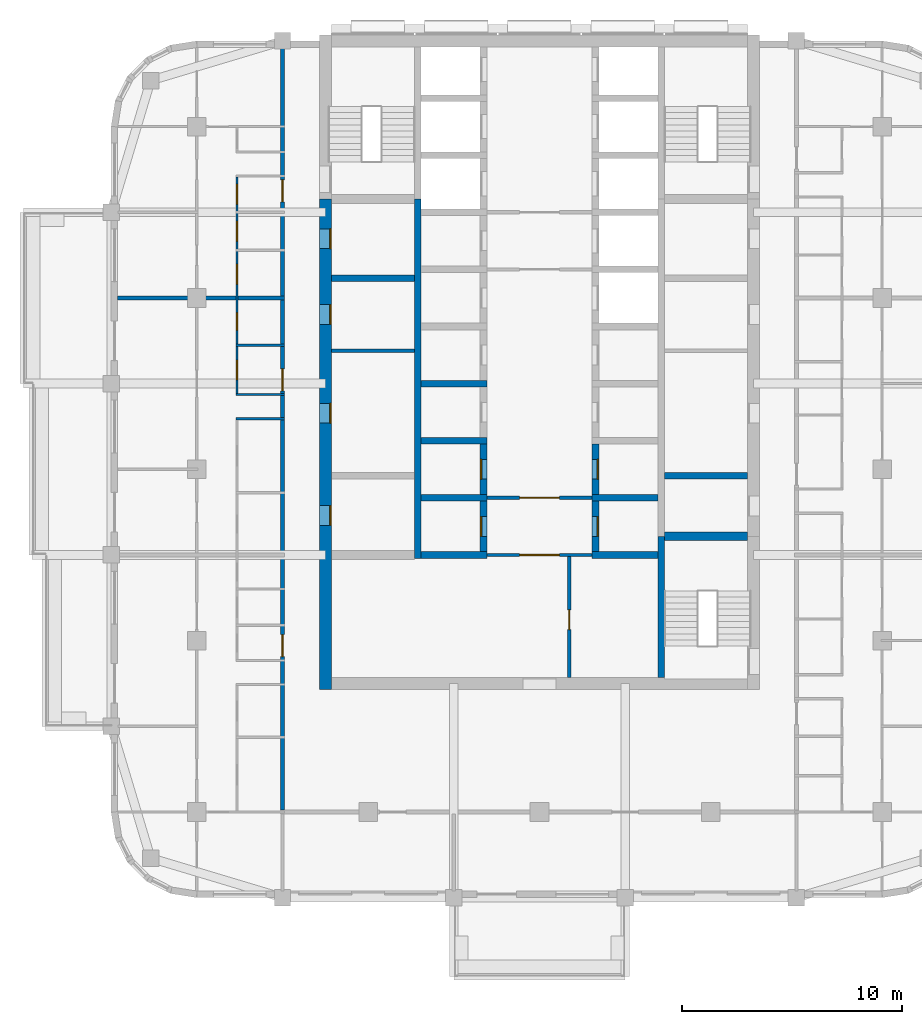
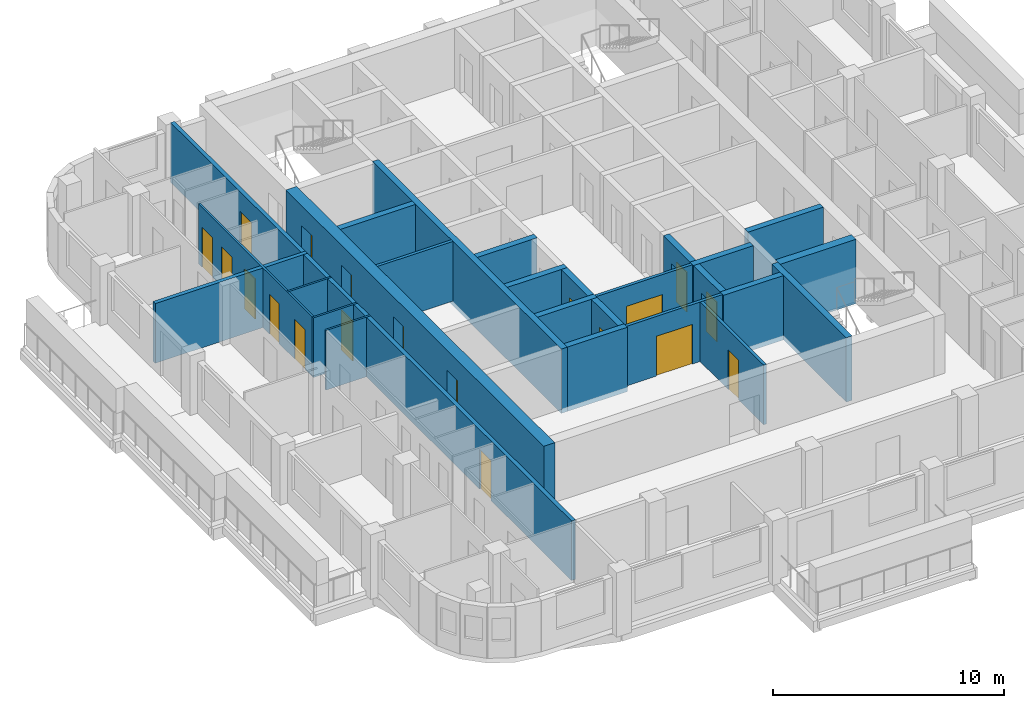
# One storey, part 4 of 13: 26 walls, 19 doors, 19 openings.
"""IFC4 building model written with IfcOpenShell, lengths in metres."""

from ifc_helpers import new_model, si_unit, direction, frame, frame_2d, origin, place, context, subcontext, project, spatial, rectangle, extrude, material, layer, layer_set, type_object, element, fill, save


model = new_model("IFC4")

# Units and contexts
model_context = context("Model", 3, precision=1e-05, world=origin(), true_north=direction((0.0, 1.0)))
body_context = subcontext(model_context, "Body", "Model", "MODEL_VIEW")
ifc_project = project(units=[si_unit("LENGTHUNIT", "METRE"), si_unit("AREAUNIT", "SQUARE_METRE"), si_unit("VOLUMEUNIT", "CUBIC_METRE"), si_unit("PLANEANGLEUNIT", "RADIAN"), si_unit("MASSUNIT", "GRAM", prefix="KILO")], contexts=[model_context])

# Site, building, storey
site_placement = place(None, origin())
site = spatial("IfcSite", under=ifc_project, at=site_placement, CompositionType="ELEMENT")
building_placement = place(site_placement, origin())
building = spatial("IfcBuilding", under=site, at=building_placement, Name="Ludao Terraces", CompositionType="ELEMENT")
storey_placement = place(building_placement, frame((0.0, 0.0, 162.199951171875)))
storey = spatial("IfcBuildingStorey", under=building, at=storey_placement, Name="L44", CompositionType="ELEMENT", Elevation=162.199951171875)

# Wall, openings, doors
ifc_material_1 = material(Name="Concrete C60", Category="concrete")
ifc_layer_1 = layer(ifc_material_1, 0.550048828125)
ifc_layer_set_1 = layer_set([ifc_layer_1], Name="Core wall 550 C60")
wall_type_1 = type_object("IfcWallType", Name="Core wall 550 C60", PredefinedType="SOLIDWALL", material=ifc_layer_set_1)
wall_1_placement = place(storey_placement, frame((75.25, 54.97509765625, -0.25), z_axis=(0.0, 0.0, 1.0), x_axis=(0.0, 1.0, 0.0)))
wall_1 = element("IfcWall", 1, at=wall_1_placement, inside=storey, type_object=wall_type_1, Name="Core wall L44 outer-W", PredefinedType="SOLIDWALL", context=body_context, shape_type="SweptSolid", body=[
    extrude(rectangle(XDim=22.324951171875, YDim=0.550048828125, at=frame_2d((11.16259765625, 0.0))), origin(), (0.0, 0.0, 1.0), 3.400146484375),
])
opening_1_placement = place(wall_1_placement, frame((7.47509765625, 0.0, 0.25)))
opening_1 = element("IfcOpeningElement", 2, at=opening_1_placement, cuts=wall_1, Name="Opening R15-032", PredefinedType="OPENING", context=body_context, shape_type="SweptSolid", body=[
    extrude(rectangle(XDim=0.89990234375, YDim=2.10009765625, at=frame_2d((0.449951171875, 1.050048828125))), frame((0.0, 0.28515625, 0.0), z_axis=(0.0, -1.0, 0.0), x_axis=(1.0, 0.0, 0.0)), (0.0, 0.0, 1.0), 0.570068359375),
])
opening_2_placement = place(wall_1_placement, frame((12.125, 0.0, 0.25)))
opening_2 = element("IfcOpeningElement", 3, at=opening_2_placement, cuts=wall_1, Name="Opening R15-042", PredefinedType="OPENING", context=body_context, shape_type="SweptSolid", body=[
    extrude(rectangle(XDim=0.89990234375, YDim=2.10009765625, at=frame_2d((0.449951171875, 1.050048828125))), frame((0.0, 0.28515625, 0.0), z_axis=(0.0, -1.0, 0.0), x_axis=(1.0, 0.0, 0.0)), (0.0, 0.0, 1.0), 0.570068359375),
])
opening_3_placement = place(wall_1_placement, frame((16.625, 0.0, 0.25)))
opening_3 = element("IfcOpeningElement", 4, at=opening_3_placement, cuts=wall_1, Name="Opening R15-055", PredefinedType="OPENING", context=body_context, shape_type="SweptSolid", body=[
    extrude(rectangle(XDim=0.89990234375, YDim=2.10009765625, at=frame_2d((0.449951171875, 1.050048828125))), frame((0.0, 0.28515625, 0.0), z_axis=(0.0, -1.0, 0.0), x_axis=(1.0, 0.0, 0.0)), (0.0, 0.0, 1.0), 0.570068359375),
])
opening_4_placement = place(wall_1_placement, frame((20.074951171875, 0.0, 0.25)))
opening_4 = element("IfcOpeningElement", 5, at=opening_4_placement, cuts=wall_1, Name="Opening R15-065", PredefinedType="OPENING", context=body_context, shape_type="SweptSolid", body=[
    extrude(rectangle(XDim=0.89990234375, YDim=2.10009765625, at=frame_2d((0.449951171875, 1.050048828125))), frame((0.0, 0.28515625, 0.0), z_axis=(0.0, -1.0, 0.0), x_axis=(1.0, 0.0, 0.0)), (0.0, 0.0, 1.0), 0.570068359375),
])
ifc_material_2 = material(Name="Steel Q235", Category="steel")
door_type_1 = type_object("IfcDoorType", Name="INT Riser door 900", OperationType="SINGLE_SWING_LEFT", PredefinedType="DOOR", material=ifc_material_2)
door_1_placement = place(opening_1_placement, origin())
door_1 = element("IfcDoor", 6, at=door_1_placement, inside=storey, type_object=door_type_1, Name="DOOR 032", OperationType="SINGLE_SWING_RIGHT", OverallHeight=2.10009765625, OverallWidth=0.89990234375, PredefinedType="DOOR", context=body_context, shape_type="SweptSolid", body=[
    extrude(rectangle(XDim=0.89990234375, YDim=2.10009765625, at=frame_2d((0.449951171875, 1.050048828125))), frame((0.0, -0.2099609375, 0.0), z_axis=(0.0, -1.0, 0.0), x_axis=(1.0, 0.0, 0.0)), (0.0, 0.0, 1.0), 0.050048828125),
])
fill(opening_1, door_1)
door_2_placement = place(opening_4_placement, origin())
door_2 = element("IfcDoor", 7, at=door_2_placement, inside=storey, type_object=door_type_1, Name="DOOR 065", OperationType="SINGLE_SWING_LEFT", OverallHeight=2.10009765625, OverallWidth=0.89990234375, PredefinedType="DOOR", context=body_context, shape_type="SweptSolid", body=[
    extrude(rectangle(XDim=0.89990234375, YDim=2.10009765625, at=frame_2d((0.449951171875, 1.050048828125))), frame((0.0, -0.2099609375, 0.0), z_axis=(0.0, -1.0, 0.0), x_axis=(1.0, 0.0, 0.0)), (0.0, 0.0, 1.0), 0.050048828125),
])
fill(opening_4, door_2)
ifc_material_3 = material(Name="Timber door leaf", Category="wood")
door_type_2 = type_object("IfcDoorType", Name="INT Room door 900", OperationType="SINGLE_SWING_LEFT", PredefinedType="DOOR", material=ifc_material_3)
door_3_placement = place(opening_2_placement, origin())
door_3 = element("IfcDoor", 8, at=door_3_placement, inside=storey, type_object=door_type_2, Name="DOOR 042", OperationType="SINGLE_SWING_RIGHT", OverallHeight=2.10009765625, OverallWidth=0.89990234375, PredefinedType="DOOR", context=body_context, shape_type="SweptSolid", body=[
    extrude(rectangle(XDim=0.89990234375, YDim=2.10009765625, at=frame_2d((0.449951171875, 1.050048828125))), frame((0.0, -0.2099609375, 0.0), z_axis=(0.0, -1.0, 0.0), x_axis=(1.0, 0.0, 0.0)), (0.0, 0.0, 1.0), 0.050048828125),
])
fill(opening_2, door_3)
door_4_placement = place(opening_3_placement, origin())
door_4 = element("IfcDoor", 9, at=door_4_placement, inside=storey, type_object=door_type_2, Name="DOOR 055", OperationType="SINGLE_SWING_LEFT", OverallHeight=2.10009765625, OverallWidth=0.89990234375, PredefinedType="DOOR", context=body_context, shape_type="SweptSolid", body=[
    extrude(rectangle(XDim=0.89990234375, YDim=2.10009765625, at=frame_2d((0.449951171875, 1.050048828125))), frame((0.0, -0.2099609375, 0.0), z_axis=(0.0, -1.0, 0.0), x_axis=(1.0, 0.0, 0.0)), (0.0, 0.0, 1.0), 0.050048828125),
])
fill(opening_3, door_4)

# Wall, opening, door
ifc_material_4 = material(Name="Fire-rated gypsum plasterboard", Category="gypsum")
ifc_layer_2 = layer(ifc_material_4, 0.012451171875, Category="gypsum")
ifc_material_5 = material(Name="Mineral wool")
ifc_layer_3 = layer(ifc_material_5, 0.10009765625, Name="insulation")
ifc_layer_4 = layer(ifc_material_2, 0.02490234375, Name="stud")
ifc_layer_5 = layer(ifc_material_4, 0.012451171875, Category="gypsum")
ifc_layer_set_2 = layer_set([ifc_layer_2, ifc_layer_3, ifc_layer_4, ifc_layer_5], Name="INT Core partition 150")
wall_type_2 = type_object("IfcWallType", Name="INT Core partition 150", PredefinedType="PARTITIONING", material=ifc_layer_set_2)
wall_2_placement = place(storey_placement, frame((82.60009765625, 61.10009765625, 0.0), z_axis=(0.0, 0.0, 1.0), x_axis=(1.0, 0.0, 0.0)))
wall_2 = element("IfcWall", 10, at=wall_2_placement, inside=storey, type_object=wall_type_2, Name="PW-L44-PW017", PredefinedType="PARTITIONING", context=body_context, shape_type="SweptSolid", body=[
    extrude(rectangle(XDim=4.800048828125, YDim=0.14990234375, at=frame_2d((2.39990234375, 0.0))), origin(), (0.0, 0.0, 1.0), 3.150146484375),
])
opening_5_placement = place(wall_2_placement, frame((1.5, 0.0, 0.0)))
opening_5 = element("IfcOpeningElement", 11, at=opening_5_placement, cuts=wall_2, Name="Opening R15-027", PredefinedType="OPENING", context=body_context, shape_type="SweptSolid", body=[
    extrude(rectangle(XDim=1.800048828125, YDim=2.10009765625, at=frame_2d((0.89990234375, 1.050048828125))), frame((0.0, 0.0849609375, 0.0), z_axis=(0.0, -1.0, 0.0), x_axis=(1.0, 0.0, 0.0)), (0.0, 0.0, 1.0), 0.169921875),
])
door_type_3 = type_object("IfcDoorType", Name="INT Fire lobby door 1800", OperationType="DOUBLE_DOOR_SINGLE_SWING", PredefinedType="DOOR", material=ifc_material_2)
door_5_placement = place(opening_5_placement, origin())
door_5 = element("IfcDoor", 12, at=door_5_placement, inside=storey, type_object=door_type_3, Name="DOOR 027", OperationType="DOUBLE_DOOR_SINGLE_SWING", OverallHeight=2.10009765625, OverallWidth=1.800048828125, PredefinedType="DOOR", context=body_context, shape_type="SweptSolid", body=[
    extrude(rectangle(XDim=1.800048828125, YDim=2.10009765625, at=frame_2d((0.89990234375, 1.050048828125))), frame((0.0, 0.02490234375, 0.0), z_axis=(0.0, -1.0, 0.0), x_axis=(1.0, 0.0, 0.0)), (0.0, 0.0, 1.0), 0.050048828125),
])
fill(opening_5, door_5)

wall_3_placement = place(storey_placement, frame((82.60009765625, 63.699951171875, 0.0), z_axis=(0.0, 0.0, 1.0), x_axis=(1.0, 0.0, 0.0)))
wall_3 = element("IfcWall", 13, at=wall_3_placement, inside=storey, type_object=wall_type_2, Name="PW-L44-PW020", PredefinedType="PARTITIONING", context=body_context, shape_type="SweptSolid", body=[
    extrude(rectangle(XDim=4.800048828125, YDim=0.14990234375, at=frame_2d((2.39990234375, 0.0))), origin(), (0.0, 0.0, 1.0), 3.150146484375),
])
opening_6_placement = place(wall_3_placement, frame((1.5, 0.0, 0.0)))
opening_6 = element("IfcOpeningElement", 14, at=opening_6_placement, cuts=wall_3, Name="Opening R15-035", PredefinedType="OPENING", context=body_context, shape_type="SweptSolid", body=[
    extrude(rectangle(XDim=1.800048828125, YDim=2.10009765625, at=frame_2d((0.89990234375, 1.050048828125))), frame((0.0, 0.0849609375, 0.0), z_axis=(0.0, -1.0, 0.0), x_axis=(1.0, 0.0, 0.0)), (0.0, 0.0, 1.0), 0.169921875),
])
door_6_placement = place(opening_6_placement, origin())
door_6 = element("IfcDoor", 15, at=door_6_placement, inside=storey, type_object=door_type_3, Name="DOOR 035", OperationType="DOUBLE_DOOR_SINGLE_SWING", OverallHeight=2.10009765625, OverallWidth=1.800048828125, PredefinedType="DOOR", context=body_context, shape_type="SweptSolid", body=[
    extrude(rectangle(XDim=1.800048828125, YDim=2.10009765625, at=frame_2d((0.89990234375, 1.050048828125))), frame((0.0, 0.02490234375, 0.0), z_axis=(0.0, -1.0, 0.0), x_axis=(1.0, 0.0, 0.0)), (0.0, 0.0, 1.0), 0.050048828125),
])
fill(opening_6, door_6)

# Wall
wall_4_placement = place(storey_placement, frame((75.525146484375, 70.39990234375, 0.0), z_axis=(0.0, 0.0, 1.0), x_axis=(1.0, 0.0, 0.0)))
element("IfcWall", 16, at=wall_4_placement, inside=storey, type_object=wall_type_2, Name="PW-L44-PW029", PredefinedType="PARTITIONING", context=body_context, shape_type="SweptSolid", body=[
    extrude(rectangle(XDim=3.77490234375, YDim=0.14990234375, at=frame_2d((1.887451171875, 0.0))), origin(), (0.0, 0.0, 1.0), 3.150146484375),
])

# Wall, opening, door
wall_5_placement = place(storey_placement, frame((86.35009765625, 55.525146484375, 0.0), z_axis=(0.0, 0.0, 1.0), x_axis=(0.0, 1.0, 0.0)))
wall_5 = element("IfcWall", 17, at=wall_5_placement, inside=storey, type_object=wall_type_2, Name="PW-L44-PW054", PredefinedType="PARTITIONING", context=body_context, shape_type="SweptSolid", body=[
    extrude(rectangle(XDim=5.5, YDim=0.14990234375, at=frame_2d((2.75, 0.0))), origin(), (0.0, 0.0, 1.0), 3.150146484375),
])
opening_7_placement = place(wall_5_placement, frame((2.175048828125, 0.0, 0.0)))
opening_7 = element("IfcOpeningElement", 18, at=opening_7_placement, cuts=wall_5, Name="Opening R15-021", PredefinedType="OPENING", context=body_context, shape_type="SweptSolid", body=[
    extrude(rectangle(XDim=0.89990234375, YDim=2.10009765625, at=frame_2d((0.449951171875, 1.050048828125))), frame((0.0, 0.0849609375, 0.0), z_axis=(0.0, -1.0, 0.0), x_axis=(1.0, 0.0, 0.0)), (0.0, 0.0, 1.0), 0.169921875),
])
door_7_placement = place(opening_7_placement, origin())
door_7 = element("IfcDoor", 19, at=door_7_placement, inside=storey, type_object=door_type_2, Name="DOOR 021", OperationType="SINGLE_SWING_RIGHT", OverallHeight=2.10009765625, OverallWidth=0.89990234375, PredefinedType="DOOR", context=body_context, shape_type="SweptSolid", body=[
    extrude(rectangle(XDim=0.89990234375, YDim=2.10009765625, at=frame_2d((0.449951171875, 1.050048828125))), frame((0.0, 0.02490234375, 0.0), z_axis=(0.0, -1.0, 0.0), x_axis=(1.0, 0.0, 0.0)), (0.0, 0.0, 1.0), 0.050048828125),
])
fill(opening_7, door_7)

# Wall, openings, doors
ifc_material_6 = material(Name="Autoclaved aerated concrete block B06 A3.5", Category="concrete")
ifc_layer_6 = layer(ifc_material_6, 0.199951171875)
ifc_layer_set_3 = layer_set([ifc_layer_6], Name="INT Entrance wall 200")
wall_type_3 = type_object("IfcWallType", Name="INT Entrance wall 200", PredefinedType="PARTITIONING", material=ifc_layer_set_3)
wall_6_placement = place(storey_placement, frame((73.300048828125, 49.5, 0.0), z_axis=(0.0, 0.0, 1.0), x_axis=(0.0, 1.0, 0.0)))
wall_6 = element("IfcWall", 20, at=wall_6_placement, inside=storey, type_object=wall_type_3, Name="PW-L44-PW052", PredefinedType="PARTITIONING", context=body_context, shape_type="SweptSolid", body=[
    extrude(rectangle(XDim=34.7001953125, YDim=0.199951171875, at=frame_2d((17.35009765625, 0.0))), origin(), (0.0, 0.0, 1.0), 3.150146484375),
])
opening_8_placement = place(wall_6_placement, frame((6.97509765625, 0.0, 0.0)))
opening_8 = element("IfcOpeningElement", 21, at=opening_8_placement, cuts=wall_6, Name="Opening R15-019", PredefinedType="OPENING", context=body_context, shape_type="SweptSolid", body=[
    extrude(rectangle(XDim=1.0, YDim=2.10009765625, at=frame_2d((0.5, 1.050048828125))), frame((0.0, 0.10986328125, 0.0), z_axis=(0.0, -1.0, 0.0), x_axis=(1.0, 0.0, 0.0)), (0.0, 0.0, 1.0), 0.219970703125),
])
opening_9_placement = place(wall_6_placement, frame((19.0751953125, 0.0, 0.0)))
opening_9 = element("IfcOpeningElement", 22, at=opening_9_placement, cuts=wall_6, Name="Opening R15-048", PredefinedType="OPENING", context=body_context, shape_type="SweptSolid", body=[
    extrude(rectangle(XDim=1.0, YDim=2.10009765625, at=frame_2d((0.5, 1.050048828125))), frame((0.0, 0.10986328125, 0.0), z_axis=(0.0, -1.0, 0.0), x_axis=(1.0, 0.0, 0.0)), (0.0, 0.0, 1.0), 0.219970703125),
])
opening_10_placement = place(wall_6_placement, frame((27.675048828125, 0.0, 0.0)))
opening_10 = element("IfcOpeningElement", 23, at=opening_10_placement, cuts=wall_6, Name="Opening R15-072", PredefinedType="OPENING", context=body_context, shape_type="SweptSolid", body=[
    extrude(rectangle(XDim=1.0, YDim=2.10009765625, at=frame_2d((0.5, 1.050048828125))), frame((0.0, 0.10986328125, 0.0), z_axis=(0.0, -1.0, 0.0), x_axis=(1.0, 0.0, 0.0)), (0.0, 0.0, 1.0), 0.219970703125),
])
door_type_4 = type_object("IfcDoorType", Name="INT Flat entrance door 1000", OperationType="SINGLE_SWING_LEFT", PredefinedType="DOOR", material=ifc_material_2)
door_8_placement = place(opening_8_placement, origin())
door_8 = element("IfcDoor", 24, at=door_8_placement, inside=storey, type_object=door_type_4, Name="DOOR 019", OperationType="SINGLE_SWING_RIGHT", OverallHeight=2.10009765625, OverallWidth=1.0, PredefinedType="DOOR", context=body_context, shape_type="SweptSolid", body=[
    extrude(rectangle(XDim=1.0, YDim=2.10009765625, at=frame_2d((0.5, 1.050048828125))), frame((0.0, 0.02490234375, 0.0), z_axis=(0.0, -1.0, 0.0), x_axis=(1.0, 0.0, 0.0)), (0.0, 0.0, 1.0), 0.050048828125),
])
fill(opening_8, door_8)
door_9_placement = place(opening_9_placement, origin())
door_9 = element("IfcDoor", 25, at=door_9_placement, inside=storey, type_object=door_type_4, Name="DOOR 048", OperationType="SINGLE_SWING_RIGHT", OverallHeight=2.10009765625, OverallWidth=1.0, PredefinedType="DOOR", context=body_context, shape_type="SweptSolid", body=[
    extrude(rectangle(XDim=1.0, YDim=2.10009765625, at=frame_2d((0.5, 1.050048828125))), frame((0.0, 0.02490234375, 0.0), z_axis=(0.0, -1.0, 0.0), x_axis=(1.0, 0.0, 0.0)), (0.0, 0.0, 1.0), 0.050048828125),
])
fill(opening_9, door_9)
door_10_placement = place(opening_10_placement, origin())
door_10 = element("IfcDoor", 26, at=door_10_placement, inside=storey, type_object=door_type_4, Name="DOOR 072", OperationType="SINGLE_SWING_LEFT", OverallHeight=2.10009765625, OverallWidth=1.0, PredefinedType="DOOR", context=body_context, shape_type="SweptSolid", body=[
    extrude(rectangle(XDim=1.0, YDim=2.10009765625, at=frame_2d((0.5, 1.050048828125))), frame((0.0, 0.02490234375, 0.0), z_axis=(0.0, -1.0, 0.0), x_axis=(1.0, 0.0, 0.0)), (0.0, 0.0, 1.0), 0.050048828125),
])
fill(opening_10, door_10)

# Walls
ifc_material_7 = material(Name="Gypsum plasterboard", Category="gypsum")
ifc_layer_7 = layer(ifc_material_7, 0.012451171875, Category="gypsum")
ifc_layer_8 = layer(ifc_material_5, 0.06005859375, Name="insulation")
ifc_layer_9 = layer(ifc_material_2, 0.014892578125, Name="stud")
ifc_layer_10 = layer(ifc_material_7, 0.012451171875, Category="gypsum")
ifc_layer_set_4 = layer_set([ifc_layer_7, ifc_layer_8, ifc_layer_9, ifc_layer_10], Name="INT Partition 100")
wall_type_4 = type_object("IfcWallType", Name="INT Partition 100", PredefinedType="PARTITIONING", material=ifc_layer_set_4)
for number, where, z_axis, x_axis, name in (
    (27, (71.18017578125, 67.300048828125, 0.0), (0.0, 0.0, 1.0), (1.0, 0.0, 0.0), "PW-L44-PW024"),
    (28, (71.18017578125, 68.39990234375, 0.0), (0.0, 0.0, 1.0), (1.0, 0.0, 0.0), "PW-L44-PW026"),
    (29, (71.18017578125, 70.64990234375, 0.0), (0.0, 0.0, 1.0), (1.0, 0.0, 0.0), "PW-L44-PW031"),
):
    element("IfcWall", number, at=place(storey_placement, frame(where, z_axis=z_axis, x_axis=x_axis)), inside=storey, type_object=wall_type_4, Name=name, PredefinedType="PARTITIONING", context=body_context, shape_type="SweptSolid", body=[
        extrude(rectangle(XDim=2.219970703125, YDim=0.10009765625, at=frame_2d((1.10986328125, 0.0))), origin(), (0.0, 0.0, 1.0), 3.150146484375),
    ])

# Wall, openings, doors
wall_7_placement = place(storey_placement, frame((71.22998046875, 68.4501953125, 0.0), z_axis=(0.0, 0.0, 1.0), x_axis=(0.0, 1.0, 0.0)))
wall_7 = element("IfcWall", 30, at=wall_7_placement, inside=storey, type_object=wall_type_4, Name="PW-L44-PW049", PredefinedType="PARTITIONING", context=body_context, shape_type="SweptSolid", body=[
    extrude(rectangle(XDim=9.849853515625, YDim=0.10009765625, at=frame_2d((4.9248046875, 0.0))), origin(), (0.0, 0.0, 1.0), 3.150146484375),
])
opening_11_placement = place(wall_7_placement, frame((0.625, 0.0, 0.0)))
opening_11 = element("IfcOpeningElement", 31, at=opening_11_placement, cuts=wall_7, Name="Opening R15-049", PredefinedType="OPENING", context=body_context, shape_type="SweptSolid", body=[
    extrude(rectangle(XDim=0.89990234375, YDim=2.10009765625, at=frame_2d((0.449951171875, 1.050048828125))), frame((0.0, 0.06005859375, 0.0), z_axis=(0.0, -1.0, 0.0), x_axis=(1.0, 0.0, 0.0)), (0.0, 0.0, 1.0), 0.1201171875),
])
opening_12_placement = place(wall_7_placement, frame((2.875, 0.0, 0.0)))
opening_12 = element("IfcOpeningElement", 32, at=opening_12_placement, cuts=wall_7, Name="Opening R15-054", PredefinedType="OPENING", context=body_context, shape_type="SweptSolid", body=[
    extrude(rectangle(XDim=0.800048828125, YDim=2.10009765625, at=frame_2d((0.39990234375, 1.050048828125))), frame((0.0, 0.06005859375, 0.0), z_axis=(0.0, -1.0, 0.0), x_axis=(1.0, 0.0, 0.0)), (0.0, 0.0, 1.0), 0.1201171875),
])
opening_13_placement = place(wall_7_placement, frame((4.98486328125, 0.0, 0.0)))
opening_13 = element("IfcOpeningElement", 33, at=opening_13_placement, cuts=wall_7, Name="Opening R15-060", PredefinedType="OPENING", context=body_context, shape_type="SweptSolid", body=[
    extrude(rectangle(XDim=0.89990234375, YDim=2.10009765625, at=frame_2d((0.449951171875, 1.050048828125))), frame((0.0, 0.06005859375, 0.0), z_axis=(0.0, -1.0, 0.0), x_axis=(1.0, 0.0, 0.0)), (0.0, 0.0, 1.0), 0.1201171875),
])
opening_14_placement = place(wall_7_placement, frame((6.934814453125, 0.0, 0.0)))
opening_14 = element("IfcOpeningElement", 34, at=opening_14_placement, cuts=wall_7, Name="Opening R15-067", PredefinedType="OPENING", context=body_context, shape_type="SweptSolid", body=[
    extrude(rectangle(XDim=0.89990234375, YDim=2.10009765625, at=frame_2d((0.449951171875, 1.050048828125))), frame((0.0, 0.06005859375, 0.0), z_axis=(0.0, -1.0, 0.0), x_axis=(1.0, 0.0, 0.0)), (0.0, 0.0, 1.0), 0.1201171875),
])
opening_15_placement = place(wall_7_placement, frame((8.625, 0.0, 0.0)))
opening_15 = element("IfcOpeningElement", 35, at=opening_15_placement, cuts=wall_7, Name="Opening R15-071", PredefinedType="OPENING", context=body_context, shape_type="SweptSolid", body=[
    extrude(rectangle(XDim=0.89990234375, YDim=2.10009765625, at=frame_2d((0.449951171875, 1.050048828125))), frame((0.0, 0.06005859375, 0.0), z_axis=(0.0, -1.0, 0.0), x_axis=(1.0, 0.0, 0.0)), (0.0, 0.0, 1.0), 0.1201171875),
])
door_type_5 = type_object("IfcDoorType", Name="INT Bathroom door 900", OperationType="SINGLE_SWING_LEFT", PredefinedType="DOOR", material=ifc_material_3)
door_11_placement = place(opening_11_placement, origin())
door_11 = element("IfcDoor", 36, at=door_11_placement, inside=storey, type_object=door_type_5, Name="DOOR 049", OperationType="SINGLE_SWING_RIGHT", OverallHeight=2.10009765625, OverallWidth=0.89990234375, PredefinedType="DOOR", context=body_context, shape_type="SweptSolid", body=[
    extrude(rectangle(XDim=0.89990234375, YDim=2.10009765625, at=frame_2d((0.449951171875, 1.050048828125))), frame((0.0, 0.02490234375, 0.0), z_axis=(0.0, -1.0, 0.0), x_axis=(1.0, 0.0, 0.0)), (0.0, 0.0, 1.0), 0.050048828125),
])
fill(opening_11, door_11)
door_12_placement = place(opening_14_placement, origin())
door_12 = element("IfcDoor", 37, at=door_12_placement, inside=storey, type_object=door_type_5, Name="DOOR 067", OperationType="SINGLE_SWING_LEFT", OverallHeight=2.10009765625, OverallWidth=0.89990234375, PredefinedType="DOOR", context=body_context, shape_type="SweptSolid", body=[
    extrude(rectangle(XDim=0.89990234375, YDim=2.10009765625, at=frame_2d((0.449951171875, 1.050048828125))), frame((0.0, 0.02490234375, 0.0), z_axis=(0.0, -1.0, 0.0), x_axis=(1.0, 0.0, 0.0)), (0.0, 0.0, 1.0), 0.050048828125),
])
fill(opening_14, door_12)
door_13_placement = place(opening_15_placement, origin())
door_13 = element("IfcDoor", 38, at=door_13_placement, inside=storey, type_object=door_type_5, Name="DOOR 071", OperationType="SINGLE_SWING_LEFT", OverallHeight=2.10009765625, OverallWidth=0.89990234375, PredefinedType="DOOR", context=body_context, shape_type="SweptSolid", body=[
    extrude(rectangle(XDim=0.89990234375, YDim=2.10009765625, at=frame_2d((0.449951171875, 1.050048828125))), frame((0.0, 0.02490234375, 0.0), z_axis=(0.0, -1.0, 0.0), x_axis=(1.0, 0.0, 0.0)), (0.0, 0.0, 1.0), 0.050048828125),
])
fill(opening_15, door_13)
door_14_placement = place(opening_13_placement, origin())
door_14 = element("IfcDoor", 39, at=door_14_placement, inside=storey, type_object=door_type_2, Name="DOOR 060", OperationType="SINGLE_SWING_RIGHT", OverallHeight=2.10009765625, OverallWidth=0.89990234375, PredefinedType="DOOR", context=body_context, shape_type="SweptSolid", body=[
    extrude(rectangle(XDim=0.89990234375, YDim=2.10009765625, at=frame_2d((0.449951171875, 1.050048828125))), frame((0.0, 0.02490234375, 0.0), z_axis=(0.0, -1.0, 0.0), x_axis=(1.0, 0.0, 0.0)), (0.0, 0.0, 1.0), 0.050048828125),
])
fill(opening_13, door_14)
door_type_6 = type_object("IfcDoorType", Name="INT Store door 800", OperationType="SINGLE_SWING_LEFT", PredefinedType="DOOR", material=ifc_material_3)
door_15_placement = place(opening_12_placement, origin())
door_15 = element("IfcDoor", 40, at=door_15_placement, inside=storey, type_object=door_type_6, Name="DOOR 054", OperationType="SINGLE_SWING_LEFT", OverallHeight=2.10009765625, OverallWidth=0.800048828125, PredefinedType="DOOR", context=body_context, shape_type="SweptSolid", body=[
    extrude(rectangle(XDim=0.800048828125, YDim=2.10009765625, at=frame_2d((0.39990234375, 1.050048828125))), frame((0.0, 0.02490234375, 0.0), z_axis=(0.0, -1.0, 0.0), x_axis=(1.0, 0.0, 0.0)), (0.0, 0.0, 1.0), 0.050048828125),
])
fill(opening_12, door_15)

# Walls
ifc_layer_11 = layer(ifc_material_6, 0.199951171875)
ifc_layer_set_5 = layer_set([ifc_layer_11], Name="INT Party wall 200")
wall_type_5 = type_object("IfcWallType", Name="INT Party wall 200", PredefinedType="PARTITIONING", material=ifc_layer_set_5)
wall_8_placement = place(storey_placement, frame((65.800048828125, 72.800048828125, 0.0), z_axis=(0.0, 0.0, 1.0), x_axis=(1.0, 0.0, 0.0)))
element("IfcWall", 41, at=wall_8_placement, inside=storey, type_object=wall_type_5, Name="PW-L44-PW032", PredefinedType="PARTITIONING", context=body_context, shape_type="SweptSolid", body=[
    extrude(rectangle(XDim=7.60009765625, YDim=0.199951171875, at=frame_2d((3.800048828125, 0.0))), origin(), (0.0, 0.0, 1.0), 3.150146484375),
])
ifc_material_8 = material(Name="Concrete C55", Category="concrete")
ifc_layer_12 = layer(ifc_material_8, 0.300048828125)
ifc_layer_set_6 = layer_set([ifc_layer_12], Name="Shaft wall 300 C55")
wall_type_6 = type_object("IfcWallType", Name="Shaft wall 300 C55", PredefinedType="SOLIDWALL", material=ifc_layer_set_6)
wall_9_placement = place(storey_placement, frame((79.449951171875, 60.949951171875, -0.25), z_axis=(0.0, 0.0, 1.0), x_axis=(0.0, 1.0, 0.0)))
element("IfcWall", 42, at=wall_9_placement, inside=storey, type_object=wall_type_6, Name="Core wall L44 back-W", PredefinedType="SOLIDWALL", context=body_context, shape_type="SweptSolid", body=[
    extrude(rectangle(XDim=16.35009765625, YDim=0.300048828125, at=frame_2d((8.175048828125, 0.0))), origin(), (0.0, 0.0, 1.0), 3.400146484375),
])
wall_10_placement = place(storey_placement, frame((90.550048828125, 55.52490234375, -0.25), z_axis=(0.0, 0.0, 1.0), x_axis=(0.0, 1.0, 0.0)))
element("IfcWall", 43, at=wall_10_placement, inside=storey, type_object=wall_type_6, Name="Core wall L44 back-E-S3", PredefinedType="SOLIDWALL", context=body_context, shape_type="SweptSolid", body=[
    extrude(rectangle(XDim=6.425048828125, YDim=0.300048828125, at=frame_2d((3.21240234375, 0.0))), origin(), (0.0, 0.0, 1.0), 3.400146484375),
])
wall_11_placement = place(storey_placement, frame((79.60009765625, 61.10009765625, -0.25), z_axis=(0.0, 0.0, 1.0), x_axis=(1.0, 0.0, 0.0)))
element("IfcWall", 44, at=wall_11_placement, inside=storey, type_object=wall_type_6, Name="Core wall L44 div-W1", PredefinedType="SOLIDWALL", context=body_context, shape_type="SweptSolid", body=[
    extrude(rectangle(XDim=3.0, YDim=0.300048828125, at=frame_2d((1.5, 0.0))), origin(), (0.0, 0.0, 1.0), 3.400146484375),
])

# Wall, opening, door
wall_12_placement = place(storey_placement, frame((82.449951171875, 61.25, -0.25), z_axis=(0.0, 0.0, 1.0), x_axis=(0.0, 1.0, 0.0)))
wall_12 = element("IfcWall", 45, at=wall_12_placement, inside=storey, type_object=wall_type_6, Name="Core wall L44 front-W1", PredefinedType="SOLIDWALL", context=body_context, shape_type="SweptSolid", body=[
    extrude(rectangle(XDim=2.300048828125, YDim=0.300048828125, at=frame_2d((1.14990234375, 0.0))), origin(), (0.0, 0.0, 1.0), 3.400146484375),
])
opening_16_placement = place(wall_12_placement, frame((0.699951171875, 0.0, 0.25)))
opening_16 = element("IfcOpeningElement", 46, at=opening_16_placement, cuts=wall_12, Name="Opening R15-029", PredefinedType="OPENING", context=body_context, shape_type="SweptSolid", body=[
    extrude(rectangle(XDim=0.89990234375, YDim=2.10009765625, at=frame_2d((0.449951171875, 1.050048828125))), frame((0.0, 0.16015625, 0.0), z_axis=(0.0, -1.0, 0.0), x_axis=(1.0, 0.0, 0.0)), (0.0, 0.0, 1.0), 0.320068359375),
])
door_16_placement = place(opening_16_placement, origin())
door_16 = element("IfcDoor", 47, at=door_16_placement, inside=storey, type_object=door_type_2, Name="DOOR 029", OperationType="SINGLE_SWING_LEFT", OverallHeight=2.10009765625, OverallWidth=0.89990234375, PredefinedType="DOOR", context=body_context, shape_type="SweptSolid", body=[
    extrude(rectangle(XDim=0.89990234375, YDim=2.10009765625, at=frame_2d((0.449951171875, 1.050048828125))), frame((0.0, 0.13525390625, 0.0), z_axis=(0.0, -1.0, 0.0), x_axis=(1.0, 0.0, 0.0)), (0.0, 0.0, 1.0), 0.050048828125),
])
fill(opening_16, door_16)

# Wall
wall_13_placement = place(storey_placement, frame((79.60009765625, 63.699951171875, -0.25), z_axis=(0.0, 0.0, 1.0), x_axis=(1.0, 0.0, 0.0)))
element("IfcWall", 48, at=wall_13_placement, inside=storey, type_object=wall_type_6, Name="Core wall L44 div-W2", PredefinedType="SOLIDWALL", context=body_context, shape_type="SweptSolid", body=[
    extrude(rectangle(XDim=3.0, YDim=0.300048828125, at=frame_2d((1.5, 0.0))), origin(), (0.0, 0.0, 1.0), 3.400146484375),
])

# Wall, opening, door
wall_14_placement = place(storey_placement, frame((82.449951171875, 63.85009765625, -0.25), z_axis=(0.0, 0.0, 1.0), x_axis=(0.0, 1.0, 0.0)))
wall_14 = element("IfcWall", 49, at=wall_14_placement, inside=storey, type_object=wall_type_6, Name="Core wall L44 front-W2", PredefinedType="SOLIDWALL", context=body_context, shape_type="SweptSolid", body=[
    extrude(rectangle(XDim=2.2998046875, YDim=0.300048828125, at=frame_2d((1.14990234375, 0.0))), origin(), (0.0, 0.0, 1.0), 3.400146484375),
])
opening_17_placement = place(wall_14_placement, frame((0.699951171875, 0.0, 0.25)))
opening_17 = element("IfcOpeningElement", 50, at=opening_17_placement, cuts=wall_14, Name="Opening R15-037", PredefinedType="OPENING", context=body_context, shape_type="SweptSolid", body=[
    extrude(rectangle(XDim=0.89990234375, YDim=2.10009765625, at=frame_2d((0.449951171875, 1.050048828125))), frame((0.0, 0.16015625, 0.0), z_axis=(0.0, -1.0, 0.0), x_axis=(1.0, 0.0, 0.0)), (0.0, 0.0, 1.0), 0.320068359375),
])
door_17_placement = place(opening_17_placement, origin())
door_17 = element("IfcDoor", 51, at=door_17_placement, inside=storey, type_object=door_type_2, Name="DOOR 037", OperationType="SINGLE_SWING_LEFT", OverallHeight=2.10009765625, OverallWidth=0.89990234375, PredefinedType="DOOR", context=body_context, shape_type="SweptSolid", body=[
    extrude(rectangle(XDim=0.89990234375, YDim=2.10009765625, at=frame_2d((0.449951171875, 1.050048828125))), frame((0.0, 0.13525390625, 0.0), z_axis=(0.0, -1.0, 0.0), x_axis=(1.0, 0.0, 0.0)), (0.0, 0.0, 1.0), 0.050048828125),
])
fill(opening_17, door_17)

# Walls
for number, where, z_axis, x_axis, name in (
    (52, (79.60009765625, 66.300048828125, -0.25), (0.0, 0.0, 1.0), (1.0, 0.0, 0.0), "Core wall L44 div-W3"),
    (53, (79.60009765625, 68.89990234375, -0.25), (0.0, 0.0, 1.0), (1.0, 0.0, 0.0), "Core wall L44 div-W4"),
    (54, (87.39990234375, 61.10009765625, -0.25), (0.0, 0.0, 1.0), (1.0, 0.0, 0.0), "Core wall L44 div-E1"),
):
    element("IfcWall", number, at=place(storey_placement, frame(where, z_axis=z_axis, x_axis=x_axis)), inside=storey, type_object=wall_type_6, Name=name, PredefinedType="SOLIDWALL", context=body_context, shape_type="SweptSolid", body=[
        extrude(rectangle(XDim=3.0, YDim=0.300048828125, at=frame_2d((1.5, 0.0))), origin(), (0.0, 0.0, 1.0), 3.400146484375),
    ])

# Wall, opening, door
wall_15_placement = place(storey_placement, frame((87.550048828125, 61.25, -0.25), z_axis=(0.0, 0.0, 1.0), x_axis=(0.0, 1.0, 0.0)))
wall_15 = element("IfcWall", 55, at=wall_15_placement, inside=storey, type_object=wall_type_6, Name="Core wall L44 front-E1", PredefinedType="SOLIDWALL", context=body_context, shape_type="SweptSolid", body=[
    extrude(rectangle(XDim=2.300048828125, YDim=0.300048828125, at=frame_2d((1.14990234375, 0.0))), origin(), (0.0, 0.0, 1.0), 3.400146484375),
])
opening_18_placement = place(wall_15_placement, frame((0.699951171875, 0.0, 0.25)))
opening_18 = element("IfcOpeningElement", 56, at=opening_18_placement, cuts=wall_15, Name="Opening R15-030", PredefinedType="OPENING", context=body_context, shape_type="SweptSolid", body=[
    extrude(rectangle(XDim=0.89990234375, YDim=2.10009765625, at=frame_2d((0.449951171875, 1.050048828125))), frame((0.0, 0.16015625, 0.0), z_axis=(0.0, -1.0, 0.0), x_axis=(1.0, 0.0, 0.0)), (0.0, 0.0, 1.0), 0.320068359375),
])
door_18_placement = place(opening_18_placement, origin())
door_18 = element("IfcDoor", 57, at=door_18_placement, inside=storey, type_object=door_type_2, Name="DOOR 030", OperationType="SINGLE_SWING_RIGHT", OverallHeight=2.10009765625, OverallWidth=0.89990234375, PredefinedType="DOOR", context=body_context, shape_type="SweptSolid", body=[
    extrude(rectangle(XDim=0.89990234375, YDim=2.10009765625, at=frame_2d((0.449951171875, 1.050048828125))), frame((0.0, -0.0849609375, 0.0), z_axis=(0.0, -1.0, 0.0), x_axis=(1.0, 0.0, 0.0)), (0.0, 0.0, 1.0), 0.050048828125),
])
fill(opening_18, door_18)

# Wall
wall_16_placement = place(storey_placement, frame((87.39990234375, 63.699951171875, -0.25), z_axis=(0.0, 0.0, 1.0), x_axis=(1.0, 0.0, 0.0)))
element("IfcWall", 58, at=wall_16_placement, inside=storey, type_object=wall_type_6, Name="Core wall L44 div-E2", PredefinedType="SOLIDWALL", context=body_context, shape_type="SweptSolid", body=[
    extrude(rectangle(XDim=3.0, YDim=0.300048828125, at=frame_2d((1.5, 0.0))), origin(), (0.0, 0.0, 1.0), 3.400146484375),
])

# Wall, opening, door
wall_17_placement = place(storey_placement, frame((87.550048828125, 63.85009765625, -0.25), z_axis=(0.0, 0.0, 1.0), x_axis=(0.0, 1.0, 0.0)))
wall_17 = element("IfcWall", 59, at=wall_17_placement, inside=storey, type_object=wall_type_6, Name="Core wall L44 front-E2", PredefinedType="SOLIDWALL", context=body_context, shape_type="SweptSolid", body=[
    extrude(rectangle(XDim=2.2998046875, YDim=0.300048828125, at=frame_2d((1.14990234375, 0.0))), origin(), (0.0, 0.0, 1.0), 3.400146484375),
])
opening_19_placement = place(wall_17_placement, frame((0.699951171875, 0.0, 0.25)))
opening_19 = element("IfcOpeningElement", 60, at=opening_19_placement, cuts=wall_17, Name="Opening R15-038", PredefinedType="OPENING", context=body_context, shape_type="SweptSolid", body=[
    extrude(rectangle(XDim=0.89990234375, YDim=2.10009765625, at=frame_2d((0.449951171875, 1.050048828125))), frame((0.0, 0.16015625, 0.0), z_axis=(0.0, -1.0, 0.0), x_axis=(1.0, 0.0, 0.0)), (0.0, 0.0, 1.0), 0.320068359375),
])
door_19_placement = place(opening_19_placement, origin())
door_19 = element("IfcDoor", 61, at=door_19_placement, inside=storey, type_object=door_type_2, Name="DOOR 038", OperationType="SINGLE_SWING_RIGHT", OverallHeight=2.10009765625, OverallWidth=0.89990234375, PredefinedType="DOOR", context=body_context, shape_type="SweptSolid", body=[
    extrude(rectangle(XDim=0.89990234375, YDim=2.10009765625, at=frame_2d((0.449951171875, 1.050048828125))), frame((0.0, -0.0849609375, 0.0), z_axis=(0.0, -1.0, 0.0), x_axis=(1.0, 0.0, 0.0)), (0.0, 0.0, 1.0), 0.050048828125),
])
fill(opening_19, door_19)

# Walls
for number, where, z_axis, x_axis, name in (
    (62, (75.52490234375, 73.699951171875, -0.25), (0.0, 0.0, 1.0), (1.0, 0.0, 0.0), "Core wall L44 riser-b-W"),
    (63, (90.699951171875, 64.699951171875, -0.25), (0.0, 0.0, 1.0), (1.0, 0.0, 0.0), "Core wall L44 riser-a-E"),
):
    element("IfcWall", number, at=place(storey_placement, frame(where, z_axis=z_axis, x_axis=x_axis)), inside=storey, type_object=wall_type_6, Name=name, PredefinedType="SOLIDWALL", context=body_context, shape_type="SweptSolid", body=[
        extrude(rectangle(XDim=3.775146484375, YDim=0.300048828125, at=frame_2d((1.8876953125, 0.0))), origin(), (0.0, 0.0, 1.0), 3.400146484375),
    ])
ifc_layer_13 = layer(ifc_material_8, 0.39990234375)
ifc_layer_set_7 = layer_set([ifc_layer_13], Name="Shaft wall 400 C55")
wall_type_7 = type_object("IfcWallType", Name="Shaft wall 400 C55", PredefinedType="SOLIDWALL", material=ifc_layer_set_7)
wall_18_placement = place(storey_placement, frame((90.699951171875, 61.949951171875, -0.25), z_axis=(0.0, 0.0, 1.0), x_axis=(1.0, 0.0, 0.0)))
element("IfcWall", 64, at=wall_18_placement, inside=storey, type_object=wall_type_7, Name="Core wall L44 hall-E", PredefinedType="SOLIDWALL", context=body_context, shape_type="SweptSolid", body=[
    extrude(rectangle(XDim=3.775146484375, YDim=0.39990234375, at=frame_2d((1.8876953125, 0.0))), origin(), (0.0, 0.0, 1.0), 3.400146484375),
])

save(model, "model.ifc")
